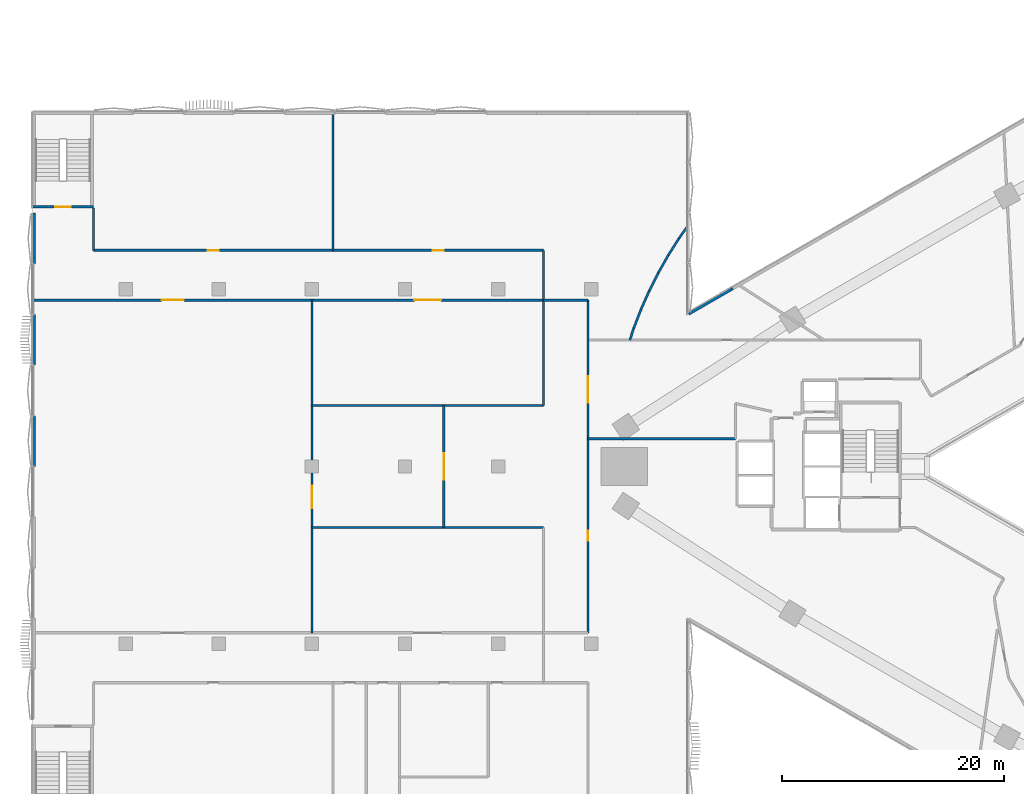
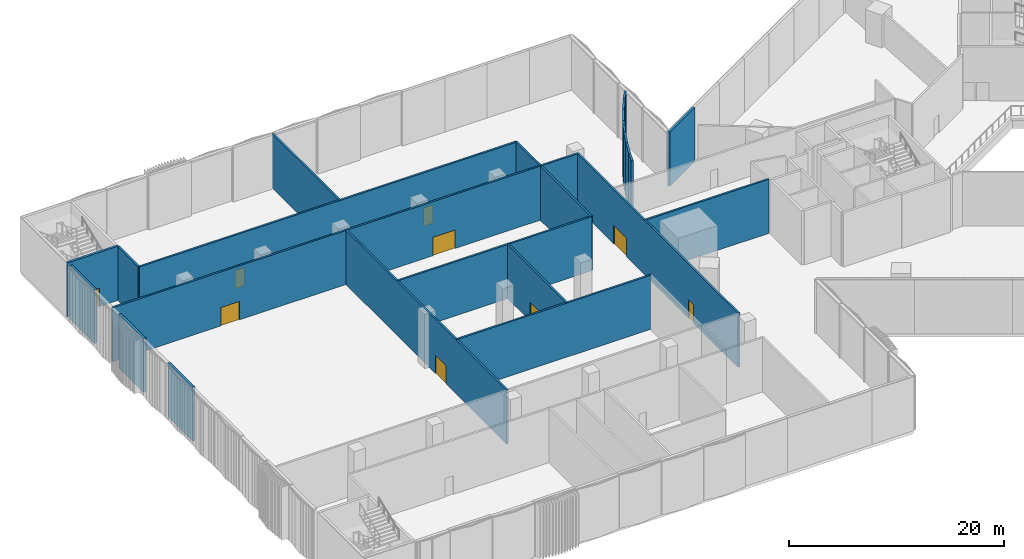
# One storey, part 13 of 32: 25 walls, 9 doors, 9 openings.
"""IFC4 building model written with IfcOpenShell, lengths in metres."""

import ifcopenshell
import ifcopenshell.guid

model = None  # the IFC model being written
_history = None  # IfcOwnerHistory: only IFC2X3 demands one
_inside = {}  # id of a spatial element -> (the spatial element, [elements in it])
_under = {}  # id of a project, library or spatial element -> (it, [spatial elements below it])
_declared = {}  # id of a project -> (the project, [libraries it declares])
_typed = {}  # id of a type object -> (the type object, [elements of that type])
_made_of = {}  # id of a material, layer set ... -> (it, [elements and type objects made of it])


def new_model(schema):
    """Start an empty IFC model of exactly this schema.

    Asked for "IFC4X3", IfcOpenShell would pick the latest addendum, in which some entities
    have other attributes; the version numbers below select the first issue.
    IFC2X3 requires an IfcOwnerHistory on every rooted entity: one is made here for all.
    """
    global model, _history
    if schema == "IFC4X3":
        model = ifcopenshell.file(schema_version=(4, 3, 0, 0))
    else:
        model = ifcopenshell.file(schema=schema)
    _inside.clear()
    _under.clear()
    _declared.clear()
    _typed.clear()
    _made_of.clear()
    _history = None
    if model.schema == "IFC2X3":
        org = make("IfcOrganization", Name="unknown")
        user = make(
            "IfcPersonAndOrganization",
            ThePerson=make("IfcPerson", FamilyName="unknown"),
            TheOrganization=org,
        )
        app = make(
            "IfcApplication",
            ApplicationDeveloper=org,
            Version="unknown",
            ApplicationFullName="unknown",
            ApplicationIdentifier="unknown",
        )
        _history = make(
            "IfcOwnerHistory",
            OwningUser=user,
            OwningApplication=app,
            ChangeAction="ADDED",
            CreationDate=0,
        )
    return model


def make(cls, **values):
    """One entity of the class cls with the attributes given. An attribute that is None is left unset."""
    return model.create_entity(
        cls, **{name: value for name, value in values.items() if value is not None}
    )


def rooted(cls, **values):
    """An entity with a GlobalId (a new one), such as an element, a storey or a relation."""
    return make(cls, GlobalId=ifcopenshell.guid.new(), OwnerHistory=_history, **values)


def si_unit(unit_type, name, prefix=None):
    """IfcSIUnit, for example si_unit("LENGTHUNIT", "METRE", prefix="MILLI")."""
    return make("IfcSIUnit", UnitType=unit_type, Prefix=prefix, Name=name)


def assignment(units):
    """IfcUnitAssignment: the units of a project."""
    return None if units is None else make("IfcUnitAssignment", Units=units)


def point(xyz):
    """IfcCartesianPoint."""
    return None if xyz is None else make("IfcCartesianPoint", Coordinates=xyz)


def direction(xyz):
    """IfcDirection."""
    return None if xyz is None else make("IfcDirection", DirectionRatios=xyz)


def frame(location, z_axis=None, x_axis=None):
    """IfcAxis2Placement3D, a coordinate frame: its origin and axes. An axis left out is left unset."""
    return make(
        "IfcAxis2Placement3D",
        Location=point(location),
        Axis=direction(z_axis),
        RefDirection=direction(x_axis),
    )


def frame_2d(location, x_axis=None):
    """IfcAxis2Placement2D, a coordinate frame in the plane: its origin and x axis."""
    return make(
        "IfcAxis2Placement2D", Location=point(location), RefDirection=direction(x_axis)
    )


def origin():
    """The frame at (0, 0, 0) with its axes left unset."""
    return frame((0.0, 0.0, 0.0))


def place(relative_to, where):
    """IfcLocalPlacement: puts the frame where relative to a parent placement (None: the world)."""
    return make(
        "IfcLocalPlacement", PlacementRelTo=relative_to, RelativePlacement=where
    )


def context(
    kind, dimensions, precision=None, world=None, true_north=None, identifier=None
):
    """IfcGeometricRepresentationContext, for example the 3D "Model" context."""
    return make(
        "IfcGeometricRepresentationContext",
        ContextIdentifier=identifier,
        ContextType=kind,
        CoordinateSpaceDimension=dimensions,
        Precision=precision,
        WorldCoordinateSystem=world,
        TrueNorth=true_north,
    )


def subcontext(parent, identifier, kind, view, scale=None):
    """IfcGeometricRepresentationSubContext, for example "Body" below "Model"."""
    return make(
        "IfcGeometricRepresentationSubContext",
        ContextIdentifier=identifier,
        ContextType=kind,
        ParentContext=parent,
        TargetScale=scale,
        TargetView=view,
    )


def project(units=None, contexts=None):
    """IfcProject with its units and contexts."""
    return rooted(
        "IfcProject",
        Name="project",
        RepresentationContexts=contexts,
        UnitsInContext=assignment(units),
    )


def spatial(cls, under=None, at=None, **own):
    """A site, building, storey or space (cls), placed at a placement, below another one or the project."""
    s = rooted(cls, ObjectPlacement=at, **own)
    if under is not None:
        _under.setdefault(under.id(), (under, []))[1].append(s)
    return s


def profile(cls, at=None, kind="AREA", **sizes):
    """A parametric profile (cls). Its sizes go by their IFC names, for example OverallWidth=200.0."""
    return make(cls, ProfileType=kind, Position=at, **sizes)


def rectangle(**sizes):
    """IfcRectangleProfileDef."""
    return profile("IfcRectangleProfileDef", **sizes)


def extrude(swept, where, along, depth):
    """IfcExtrudedAreaSolid: the profile swept, set in the frame where, extruded along a direction by depth."""
    return make(
        "IfcExtrudedAreaSolid",
        SweptArea=swept,
        Position=where,
        ExtrudedDirection=direction(along),
        Depth=depth,
    )


def shape(context_of_items, identifier, shape_type, items):
    """IfcShapeRepresentation: the items that make up one representation, for example the "Body"."""
    return make(
        "IfcShapeRepresentation",
        ContextOfItems=context_of_items,
        RepresentationIdentifier=identifier,
        RepresentationType=shape_type,
        Items=items,
    )


def material(Name=None, Category=None):
    """IfcMaterial."""
    return make("IfcMaterial", Name=Name, Category=Category)


def layer(
    of_material, thickness, ventilated=None, Name=None, Category=None, Priority=None
):
    """IfcMaterialLayer: one layer of a wall or slab, of a material (None: an air gap)."""
    return make(
        "IfcMaterialLayer",
        Material=of_material,
        LayerThickness=thickness,
        IsVentilated=ventilated,
        Name=Name,
        Category=Category,
        Priority=Priority,
    )


def layer_set(layers, Name=None):
    """IfcMaterialLayerSet."""
    return make("IfcMaterialLayerSet", MaterialLayers=layers, LayerSetName=Name)


def made_of(thing, what):
    """Note that an element or type object is made of a material, layer set ...; save() writes the relation."""
    if what is not None:
        _made_of.setdefault(what.id(), (what, []))[1].append(thing)
    return thing


def type_object(cls, material=None, **own):
    """A type object (cls), such as IfcWallType, which elements share."""
    return made_of(rooted(cls, **own), material)


def element(
    cls,
    number,
    at=None,
    inside=None,
    cuts=None,
    type_object=None,
    material=None,
    context=None,
    identifier="Body",
    shape_type=None,
    held_by="IfcProductDefinitionShape",
    body=None,
    shapes=None,
    **own,
):
    """One element of the class cls, such as IfcWall. Its Tag is "e" and its number.

    at: its placement. inside: the storey or other place that contains it. cuts: it is an
    opening in that element (IfcRelVoidsElement). A single representation is given by context,
    identifier, shape_type and body (its items); several are given by shapes. held_by: the class
    of the entity that holds the representations. save() writes the other relations.
    """
    e = rooted(cls, Tag="e%d" % number, ObjectPlacement=at, **own)
    if body is not None:
        shapes = [shape(context, identifier, shape_type, body)]
    if shapes is not None:
        e.Representation = make(held_by, Representations=shapes)
    if inside is not None:
        _inside.setdefault(inside.id(), (inside, []))[1].append(e)
    if cuts is not None:
        rooted(
            "IfcRelVoidsElement", RelatingBuildingElement=cuts, RelatedOpeningElement=e
        )
    if type_object is not None:
        _typed.setdefault(type_object.id(), (type_object, []))[1].append(e)
    return made_of(e, material)


def fill(opening, filler):
    """IfcRelFillsElement: the door or window that sits in an opening."""
    return rooted(
        "IfcRelFillsElement",
        RelatingOpeningElement=opening,
        RelatedBuildingElement=filler,
    )


def aggregate(whole, parts):
    """IfcRelAggregates: a whole, such as a stair, and the parts it consists of."""
    return rooted("IfcRelAggregates", RelatingObject=whole, RelatedObjects=parts)


def save(model, path):
    """Write the relations noted so far, then the file.

    IfcRelAggregates (storeys below a building ...), IfcRelContainedInSpatialStructure (elements
    in a storey), IfcRelDefinesByType, IfcRelAssociatesMaterial and IfcRelDeclares: one each for
    every whole, place, type object, material and project.
    """
    for whole, parts in _under.values():
        aggregate(whole, parts)
    for where, things in _inside.values():
        rooted(
            "IfcRelContainedInSpatialStructure",
            RelatedElements=things,
            RelatingStructure=where,
        )
    for kind, things in _typed.values():
        rooted("IfcRelDefinesByType", RelatedObjects=things, RelatingType=kind)
    for what, things in _made_of.values():
        rooted("IfcRelAssociatesMaterial", RelatedObjects=things, RelatingMaterial=what)
    for by, libraries in _declared.values():
        rooted("IfcRelDeclares", RelatingContext=by, RelatedDefinitions=libraries)
    model.write(path)


model = new_model("IFC4")

# Units and contexts
model_context = context("Model", 3, precision=1e-05, world=origin(), true_north=direction((0.0, 1.0)))
body_context = subcontext(model_context, "Body", "Model", "MODEL_VIEW")
ifc_project = project(units=[si_unit("LENGTHUNIT", "METRE"), si_unit("AREAUNIT", "SQUARE_METRE"), si_unit("VOLUMEUNIT", "CUBIC_METRE"), si_unit("PLANEANGLEUNIT", "RADIAN"), si_unit("MASSUNIT", "GRAM", prefix="KILO")], contexts=[model_context])

# Site, building, storey
site_placement = place(None, origin())
site = spatial("IfcSite", under=ifc_project, at=site_placement, CompositionType="ELEMENT")
building_placement = place(site_placement, origin())
building = spatial("IfcBuilding", under=site, at=building_placement, Name="Tamra Quay Hotel Tower", CompositionType="ELEMENT")
storey_placement = place(building_placement, frame((0.0, 0.0, 7.5)))
storey = spatial("IfcBuildingStorey", under=building, at=storey_placement, Name="L01", CompositionType="ELEMENT", Elevation=7.5)

# Wall, opening, door
ifc_material_1 = material(Name="Concrete M70", Category="concrete")
ifc_layer_1 = layer(ifc_material_1, 0.199951171875)
ifc_layer_set_1 = layer_set([ifc_layer_1], Name="Concrete M70 core wall 200")
wall_type_1 = type_object("IfcWallType", Name="Concrete M70 core wall 200", PredefinedType="SHEAR", material=ifc_layer_set_1)
wall_1_placement = place(storey_placement, frame((-89.10009765625, 23.425048828125, 0.0), z_axis=(0.0, 0.0, 1.0), x_axis=(1.0, 0.0, 0.0)))
wall_1 = element("IfcWall", 1, at=wall_1_placement, inside=storey, type_object=wall_type_1, Name="CW2", PredefinedType="SHEAR", context=body_context, shape_type="SweptSolid", body=[
    extrude(rectangle(XDim=5.5, YDim=0.25, at=frame_2d((2.75, 0.0))), origin(), (0.0, 0.0, 1.0), 6.14990234375),
])
opening_1_placement = place(wall_1_placement, frame((2.050048828125, 0.0, 0.0)))
opening_1 = element("IfcOpeningElement", 2, at=opening_1_placement, cuts=wall_1, Name="Opening FD2", PredefinedType="OPENING", context=body_context, shape_type="SweptSolid", body=[
    extrude(rectangle(XDim=1.39990234375, YDim=2.10009765625, at=frame_2d((0.699951171875, 1.050048828125))), frame((0.0, 0.135009765625, 0.0), z_axis=(0.0, -1.0, 0.0), x_axis=(1.0, 0.0, 0.0)), (0.0, 0.0, 1.0), 0.27001953125),
])
ifc_material_2 = material(Name="Core door FD2 1400x2100 RH")
door_type_1 = type_object("IfcDoorType", Name="Core door FD2 1400x2100 RH", OperationType="NOTDEFINED", PredefinedType="DOOR", material=ifc_material_2)
door_1_placement = place(opening_1_placement, origin())
door_1 = element("IfcDoor", 3, at=door_1_placement, inside=storey, type_object=door_type_1, Name="FD2", OperationType="SINGLE_SWING_RIGHT", OverallHeight=2.10009765625, OverallWidth=1.39990234375, PredefinedType="DOOR", context=body_context, shape_type="SweptSolid", body=[
    extrude(rectangle(XDim=1.39990234375, YDim=2.10009765625, at=frame_2d((0.699951171875, 1.050048828125))), frame((0.0, 0.02490234375, 0.0), z_axis=(0.0, -1.0, 0.0), x_axis=(1.0, 0.0, 0.0)), (0.0, 0.0, 1.0), 0.050048828125),
])
fill(opening_1, door_1)

# Walls
ifc_material_3 = material(Name="Blockwork masonry plastered", Category="masonry")
ifc_layer_2 = layer(ifc_material_3, 0.25)
ifc_layer_set_2 = layer_set([ifc_layer_2], Name="EXTERNAL WALL 250")
wall_type_2 = type_object("IfcWallType", Name="EXTERNAL WALL 250", PredefinedType="SOLIDWALL", material=ifc_layer_set_2)
wall_2_placement = place(storey_placement, frame((-29.9375, 13.748046875, 0.0), z_axis=(0.0, 0.0, 1.0), x_axis=(0.866193503994, 0.4997087288, 0.0)))
element("IfcWall", 4, at=wall_2_placement, inside=storey, type_object=wall_type_2, Name="EW1", PredefinedType="SOLIDWALL", context=body_context, shape_type="SweptSolid", body=[
    extrude(rectangle(XDim=4.619873046875, YDim=0.25, at=frame_2d((2.31005859375, 0.0))), origin(), (0.0, 0.0, 1.0), 6.14990234375),
])
for number, where, z_axis, x_axis, name in (
    (5, (-88.97509765625, 18.28564453125, 0.0), (0.0, 0.0, 1.0), (0.0, 1.0, 0.0), "EW1"),
    (6, (-88.97509765625, 9.142822265625, 0.0), (0.0, 0.0, 1.0), (0.0, 1.0, 0.0), "EW1"),
    (7, (-88.97509765625, 0.0, 0.0), (0.0, 0.0, 1.0), (0.0, 1.0, 0.0), "EW1"),
):
    element("IfcWall", number, at=place(storey_placement, frame(where, z_axis=z_axis, x_axis=x_axis)), inside=storey, type_object=wall_type_2, Name=name, PredefinedType="SOLIDWALL", context=body_context, shape_type="SweptSolid", body=[
        extrude(rectangle(XDim=4.571533203125, YDim=0.25, at=frame_2d((2.28564453125, 0.0))), origin(), (0.0, 0.0, 1.0), 6.14990234375),
    ])

# Wall, openings, doors
ifc_material_4 = material(Name="Partition corridor wall")
ifc_layer_3 = layer(ifc_material_4, 0.199951171875)
ifc_layer_set_3 = layer_set([ifc_layer_3], Name="Partition corridor wall")
wall_type_3 = type_object("IfcWallType", Name="Partition corridor wall", PredefinedType="PARTITIONING", material=ifc_layer_set_3)
wall_3_placement = place(storey_placement, frame((-89.094970703125, 15.0, 0.0), z_axis=(0.0, 0.0, 1.0), x_axis=(1.0, 0.0, 0.0)))
wall_3 = element("IfcWall", 8, at=wall_3_placement, inside=storey, type_object=wall_type_3, Name="W-C", PredefinedType="PARTITIONING", context=body_context, shape_type="SweptSolid", body=[
    extrude(rectangle(XDim=46.094970703125, YDim=0.199951171875, at=frame_2d((23.04736328125, 0.0))), origin(), (0.0, 0.0, 1.0), 6.14990234375),
])
opening_2_placement = place(wall_3_placement, frame((11.6494140625, 0.0, 0.0)))
opening_2 = element("IfcOpeningElement", 9, at=opening_2_placement, cuts=wall_3, Name="Opening L01-D002", PredefinedType="OPENING", context=body_context, shape_type="SweptSolid", body=[
    extrude(rectangle(XDim=2.0, YDim=2.10009765625, at=frame_2d((1.0, 1.050048828125))), frame((0.0, 0.10986328125, 0.0), z_axis=(0.0, -1.0, 0.0), x_axis=(1.0, 0.0, 0.0)), (0.0, 0.0, 1.0), 0.219970703125),
])
opening_3_placement = place(wall_3_placement, frame((34.445068359375, 0.0, 0.0)))
opening_3 = element("IfcOpeningElement", 10, at=opening_3_placement, cuts=wall_3, Name="Opening L01-D005", PredefinedType="OPENING", context=body_context, shape_type="SweptSolid", body=[
    extrude(rectangle(XDim=2.39990234375, YDim=2.10009765625, at=frame_2d((1.199951171875, 1.050048828125))), frame((0.0, 0.10986328125, 0.0), z_axis=(0.0, -1.0, 0.0), x_axis=(1.0, 0.0, 0.0)), (0.0, 0.0, 1.0), 0.219970703125),
])
ifc_material_5 = material(Name="Door double leaf 2000x2100")
door_type_2 = type_object("IfcDoorType", Name="Door double leaf 2000x2100", OperationType="DOUBLE_DOOR_SINGLE_SWING", PredefinedType="DOOR", material=ifc_material_5)
door_2_placement = place(opening_2_placement, frame((2.0, 0.0, 0.0), z_axis=(0.0, 0.0, 1.0), x_axis=(-1.0, 0.0, 0.0)))
door_2 = element("IfcDoor", 11, at=door_2_placement, inside=storey, type_object=door_type_2, Name="L01-D002", OperationType="DOUBLE_DOOR_SINGLE_SWING", OverallHeight=2.10009765625, OverallWidth=2.0, PredefinedType="DOOR", context=body_context, shape_type="SweptSolid", body=[
    extrude(rectangle(XDim=2.0, YDim=2.10009765625, at=frame_2d((1.0, 1.050048828125))), frame((0.0, 0.02490234375, 0.0), z_axis=(0.0, -1.0, 0.0), x_axis=(1.0, 0.0, 0.0)), (0.0, 0.0, 1.0), 0.050048828125),
])
fill(opening_2, door_2)
ifc_material_6 = material(Name="Door double leaf 2400x2100")
door_type_3 = type_object("IfcDoorType", Name="Door double leaf 2400x2100", OperationType="DOUBLE_DOOR_SINGLE_SWING", PredefinedType="DOOR", material=ifc_material_6)
door_3_placement = place(opening_3_placement, frame((2.39990234375, 0.0, 0.0), z_axis=(0.0, 0.0, 1.0), x_axis=(-1.0, 0.0, 0.0)))
door_3 = element("IfcDoor", 12, at=door_3_placement, inside=storey, type_object=door_type_3, Name="L01-D005", OperationType="DOUBLE_DOOR_SINGLE_SWING", OverallHeight=2.10009765625, OverallWidth=2.39990234375, PredefinedType="DOOR", context=body_context, shape_type="SweptSolid", body=[
    extrude(rectangle(XDim=2.39990234375, YDim=2.10009765625, at=frame_2d((1.199951171875, 1.050048828125))), frame((0.0, 0.02490234375, 0.0), z_axis=(0.0, -1.0, 0.0), x_axis=(1.0, 0.0, 0.0)), (0.0, 0.0, 1.0), 0.050048828125),
])
fill(opening_3, door_3)

# Wall
wall_4_placement = place(storey_placement, frame((-83.60009765625, 19.5, 0.0), z_axis=(0.0, 0.0, 1.0), x_axis=(0.0, 1.0, 0.0)))
element("IfcWall", 13, at=wall_4_placement, inside=storey, type_object=wall_type_3, Name="W-C", PredefinedType="PARTITIONING", context=body_context, shape_type="SweptSolid", body=[
    extrude(rectangle(XDim=3.800048828125, YDim=0.199951171875, at=frame_2d((1.89990234375, 0.0))), origin(), (0.0, 0.0, 1.0), 6.14990234375),
])

# Wall, openings, doors
wall_5_placement = place(storey_placement, frame((-83.60009765625, 19.5, 0.0), z_axis=(0.0, 0.0, 1.0), x_axis=(1.0, 0.0, 0.0)))
wall_5 = element("IfcWall", 14, at=wall_5_placement, inside=storey, type_object=wall_type_3, Name="W-C", PredefinedType="PARTITIONING", context=body_context, shape_type="SweptSolid", body=[
    extrude(rectangle(XDim=40.60009765625, YDim=0.199951171875, at=frame_2d((20.300048828125, 0.0))), origin(), (0.0, 0.0, 1.0), 6.14990234375),
])
opening_4_placement = place(wall_5_placement, frame((10.305908203125, 0.0, 0.0)))
opening_4 = element("IfcOpeningElement", 15, at=opening_4_placement, cuts=wall_5, Name="Opening L01-D007", PredefinedType="OPENING", context=body_context, shape_type="SweptSolid", body=[
    extrude(rectangle(XDim=1.0, YDim=2.10009765625, at=frame_2d((0.5, 1.050048828125))), frame((0.0, 0.10986328125, 0.0), z_axis=(0.0, -1.0, 0.0), x_axis=(1.0, 0.0, 0.0)), (0.0, 0.0, 1.0), 0.219970703125),
])
opening_5_placement = place(wall_5_placement, frame((30.594970703125, 0.0, 0.0)))
opening_5 = element("IfcOpeningElement", 16, at=opening_5_placement, cuts=wall_5, Name="Opening L01-D008", PredefinedType="OPENING", context=body_context, shape_type="SweptSolid", body=[
    extrude(rectangle(XDim=1.0, YDim=2.10009765625, at=frame_2d((0.5, 1.050048828125))), frame((0.0, 0.10986328125, 0.0), z_axis=(0.0, -1.0, 0.0), x_axis=(1.0, 0.0, 0.0)), (0.0, 0.0, 1.0), 0.219970703125),
])
ifc_material_7 = material(Name="Door guest room 1000x2100")
door_type_4 = type_object("IfcDoorType", Name="Door guest room 1000x2100", OperationType="NOTDEFINED", PredefinedType="DOOR", material=ifc_material_7)
door_4_placement = place(opening_4_placement, origin())
door_4 = element("IfcDoor", 17, at=door_4_placement, inside=storey, type_object=door_type_4, Name="L01-D007", OperationType="SINGLE_SWING_LEFT", OverallHeight=2.10009765625, OverallWidth=1.0, PredefinedType="DOOR", context=body_context, shape_type="SweptSolid", body=[
    extrude(rectangle(XDim=1.0, YDim=2.10009765625, at=frame_2d((0.5, 1.050048828125))), frame((0.0, 0.02490234375, 0.0), z_axis=(0.0, -1.0, 0.0), x_axis=(1.0, 0.0, 0.0)), (0.0, 0.0, 1.0), 0.050048828125),
])
fill(opening_4, door_4)
door_5_placement = place(opening_5_placement, origin())
door_5 = element("IfcDoor", 18, at=door_5_placement, inside=storey, type_object=door_type_4, Name="L01-D008", OperationType="SINGLE_SWING_LEFT", OverallHeight=2.10009765625, OverallWidth=1.0, PredefinedType="DOOR", context=body_context, shape_type="SweptSolid", body=[
    extrude(rectangle(XDim=1.0, YDim=2.10009765625, at=frame_2d((0.5, 1.050048828125))), frame((0.0, 0.02490234375, 0.0), z_axis=(0.0, -1.0, 0.0), x_axis=(1.0, 0.0, 0.0)), (0.0, 0.0, 1.0), 0.050048828125),
])
fill(opening_5, door_5)

# Wall
wall_6_placement = place(storey_placement, frame((-43.0, 15.001953125, 0.0), z_axis=(0.0, 0.0, 1.0), x_axis=(0.0, 1.0, 0.0)))
element("IfcWall", 19, at=wall_6_placement, inside=storey, type_object=wall_type_3, Name="W-C", PredefinedType="PARTITIONING", context=body_context, shape_type="SweptSolid", body=[
    extrude(rectangle(XDim=4.498046875, YDim=0.199951171875, at=frame_2d((2.2490234375, 0.0))), origin(), (0.0, 0.0, 1.0), 6.14990234375),
])

# Wall, opening, door
ifc_material_8 = material(Name="Partition party wall")
ifc_layer_4 = layer(ifc_material_8, 0.199951171875)
ifc_layer_set_4 = layer_set([ifc_layer_4], Name="Partition party wall")
wall_type_4 = type_object("IfcWallType", Name="Partition party wall", PredefinedType="PARTITIONING", material=ifc_layer_set_4)
wall_7_placement = place(storey_placement, frame((-63.89990234375, -15.0, 0.0), z_axis=(0.0, 0.0, 1.0), x_axis=(0.0, 1.0, 0.0)))
wall_7 = element("IfcWall", 20, at=wall_7_placement, inside=storey, type_object=wall_type_4, Name="W-P", PredefinedType="PARTITIONING", context=body_context, shape_type="SweptSolid", body=[
    extrude(rectangle(XDim=30.0, YDim=0.199951171875, at=frame_2d((15.0, 0.0))), origin(), (0.0, 0.0, 1.0), 6.14990234375),
])
opening_6_placement = place(wall_7_placement, frame((11.25, 0.0, 0.0)))
opening_6 = element("IfcOpeningElement", 21, at=opening_6_placement, cuts=wall_7, Name="Opening L01-D001", PredefinedType="OPENING", context=body_context, shape_type="SweptSolid", body=[
    extrude(rectangle(XDim=2.0, YDim=2.10009765625, at=frame_2d((1.0, 1.050048828125))), frame((0.0, 0.10986328125, 0.0), z_axis=(0.0, -1.0, 0.0), x_axis=(1.0, 0.0, 0.0)), (0.0, 0.0, 1.0), 0.219970703125),
])
door_6_placement = place(opening_6_placement, origin())
door_6 = element("IfcDoor", 22, at=door_6_placement, inside=storey, type_object=door_type_2, Name="L01-D001", OperationType="DOUBLE_DOOR_SINGLE_SWING", OverallHeight=2.10009765625, OverallWidth=2.0, PredefinedType="DOOR", context=body_context, shape_type="SweptSolid", body=[
    extrude(rectangle(XDim=2.0, YDim=2.10009765625, at=frame_2d((1.0, 1.050048828125))), frame((0.0, 0.02490234375, 0.0), z_axis=(0.0, -1.0, 0.0), x_axis=(1.0, 0.0, 0.0)), (0.0, 0.0, 1.0), 0.050048828125),
])
fill(opening_6, door_6)

# Walls
for number, where, z_axis, x_axis, name in (
    (23, (-63.89990234375, -5.5, 0.0), (0.0, 0.0, 1.0), (1.0, 0.0, 0.0), "W-P"),
    (24, (-63.89990234375, 5.5, 0.0), (0.0, 0.0, 1.0), (1.0, 0.0, 0.0), "W-P"),
):
    element("IfcWall", number, at=place(storey_placement, frame(where, z_axis=z_axis, x_axis=x_axis)), inside=storey, type_object=wall_type_4, Name=name, PredefinedType="PARTITIONING", context=body_context, shape_type="SweptSolid", body=[
        extrude(rectangle(XDim=20.89990234375, YDim=0.199951171875, at=frame_2d((10.449951171875, 0.0))), origin(), (0.0, 0.0, 1.0), 6.14990234375),
    ])
wall_8_placement = place(storey_placement, frame((-62.0, 19.501953125, 0.0), z_axis=(0.0, 0.0, 1.0), x_axis=(0.0, 1.0, 0.0)))
element("IfcWall", 25, at=wall_8_placement, inside=storey, type_object=wall_type_4, Name="W-P", PredefinedType="PARTITIONING", context=body_context, shape_type="SweptSolid", body=[
    extrude(rectangle(XDim=12.4931640625, YDim=0.199951171875, at=frame_2d((6.24658203125, 0.0))), origin(), (0.0, 0.0, 1.0), 6.14990234375),
])

# Wall, opening, door
wall_9_placement = place(storey_placement, frame((-52.0, -5.5, 0.0), z_axis=(0.0, 0.0, 1.0), x_axis=(0.0, 1.0, 0.0)))
wall_9 = element("IfcWall", 26, at=wall_9_placement, inside=storey, type_object=wall_type_4, Name="W-P", PredefinedType="PARTITIONING", context=body_context, shape_type="SweptSolid", body=[
    extrude(rectangle(XDim=11.0, YDim=0.199951171875, at=frame_2d((5.5, 0.0))), origin(), (0.0, 0.0, 1.0), 6.14990234375),
])
opening_7_placement = place(wall_9_placement, frame((4.300048828125, 0.0, 0.0)))
opening_7 = element("IfcOpeningElement", 27, at=opening_7_placement, cuts=wall_9, Name="Opening L01-D004", PredefinedType="OPENING", context=body_context, shape_type="SweptSolid", body=[
    extrude(rectangle(XDim=2.39990234375, YDim=2.10009765625, at=frame_2d((1.199951171875, 1.050048828125))), frame((0.0, 0.10986328125, 0.0), z_axis=(0.0, -1.0, 0.0), x_axis=(1.0, 0.0, 0.0)), (0.0, 0.0, 1.0), 0.219970703125),
])
door_7_placement = place(opening_7_placement, origin())
door_7 = element("IfcDoor", 28, at=door_7_placement, inside=storey, type_object=door_type_3, Name="L01-D004", OperationType="DOUBLE_DOOR_SINGLE_SWING", OverallHeight=2.10009765625, OverallWidth=2.39990234375, PredefinedType="DOOR", context=body_context, shape_type="SweptSolid", body=[
    extrude(rectangle(XDim=2.39990234375, YDim=2.10009765625, at=frame_2d((1.199951171875, 1.050048828125))), frame((0.0, 0.02490234375, 0.0), z_axis=(0.0, -1.0, 0.0), x_axis=(1.0, 0.0, 0.0)), (0.0, 0.0, 1.0), 0.050048828125),
])
fill(opening_7, door_7)

# Walls
wall_10_placement = place(storey_placement, frame((-43.0, 5.5, 0.0), z_axis=(0.0, 0.0, 1.0), x_axis=(0.0, 1.0, 0.0)))
element("IfcWall", 29, at=wall_10_placement, inside=storey, type_object=wall_type_4, Name="W-P", PredefinedType="PARTITIONING", context=body_context, shape_type="SweptSolid", body=[
    extrude(rectangle(XDim=9.5, YDim=0.199951171875, at=frame_2d((4.75, 0.0))), origin(), (0.0, 0.0, 1.0), 6.14990234375),
])
wall_11_placement = place(storey_placement, frame((-42.998046875, 15.0, 0.0), z_axis=(0.0, 0.0, 1.0), x_axis=(1.0, 0.0, 0.0)))
element("IfcWall", 30, at=wall_11_placement, inside=storey, type_object=wall_type_4, Name="W-P", PredefinedType="PARTITIONING", context=body_context, shape_type="SweptSolid", body=[
    extrude(rectangle(XDim=3.998046875, YDim=0.199951171875, at=frame_2d((1.9990234375, 0.0))), origin(), (0.0, 0.0, 1.0), 6.14990234375),
])

# Wall, openings, doors
wall_12_placement = place(storey_placement, frame((-39.0, -15.0, 0.0), z_axis=(0.0, 0.0, 1.0), x_axis=(0.0, 1.0, 0.0)))
wall_12 = element("IfcWall", 31, at=wall_12_placement, inside=storey, type_object=wall_type_4, Name="W-P", PredefinedType="PARTITIONING", context=body_context, shape_type="SweptSolid", body=[
    extrude(rectangle(XDim=30.0, YDim=0.199951171875, at=frame_2d((15.0, 0.0))), origin(), (0.0, 0.0, 1.0), 6.14990234375),
])
opening_8_placement = place(wall_12_placement, frame((20.75, 0.0, 0.0)))
opening_8 = element("IfcOpeningElement", 32, at=opening_8_placement, cuts=wall_12, Name="Opening L01-D013", PredefinedType="OPENING", context=body_context, shape_type="SweptSolid", body=[
    extrude(rectangle(XDim=2.39990234375, YDim=2.10009765625, at=frame_2d((1.199951171875, 1.050048828125))), frame((0.0, 0.10986328125, 0.0), z_axis=(0.0, -1.0, 0.0), x_axis=(1.0, 0.0, 0.0)), (0.0, 0.0, 1.0), 0.219970703125),
])
opening_9_placement = place(wall_12_placement, frame((8.304931640625, 0.0, 0.0)))
opening_9 = element("IfcOpeningElement", 33, at=opening_9_placement, cuts=wall_12, Name="Opening L01-D019", PredefinedType="OPENING", context=body_context, shape_type="SweptSolid", body=[
    extrude(rectangle(XDim=0.89990234375, YDim=2.10009765625, at=frame_2d((0.449951171875, 1.050048828125))), frame((0.0, 0.10986328125, 0.0), z_axis=(0.0, -1.0, 0.0), x_axis=(1.0, 0.0, 0.0)), (0.0, 0.0, 1.0), 0.219970703125),
])
door_8_placement = place(opening_8_placement, frame((2.39990234375, 0.0, 0.0), z_axis=(0.0, 0.0, 1.0), x_axis=(-1.0, 0.0, 0.0)))
door_8 = element("IfcDoor", 34, at=door_8_placement, inside=storey, type_object=door_type_3, Name="L01-D013", OperationType="DOUBLE_DOOR_SINGLE_SWING", OverallHeight=2.10009765625, OverallWidth=2.39990234375, PredefinedType="DOOR", context=body_context, shape_type="SweptSolid", body=[
    extrude(rectangle(XDim=2.39990234375, YDim=2.10009765625, at=frame_2d((1.199951171875, 1.050048828125))), frame((0.0, 0.02490234375, 0.0), z_axis=(0.0, -1.0, 0.0), x_axis=(1.0, 0.0, 0.0)), (0.0, 0.0, 1.0), 0.050048828125),
])
fill(opening_8, door_8)
ifc_material_9 = material(Name="Door service room 900x2100")
door_type_5 = type_object("IfcDoorType", Name="Door service room 900x2100", OperationType="NOTDEFINED", PredefinedType="DOOR", material=ifc_material_9)
door_9_placement = place(opening_9_placement, frame((0.89990234375, 0.0, 0.0), z_axis=(0.0, 0.0, 1.0), x_axis=(-1.0, 0.0, 0.0)))
door_9 = element("IfcDoor", 35, at=door_9_placement, inside=storey, type_object=door_type_5, Name="L01-D019", OperationType="SINGLE_SWING_LEFT", OverallHeight=2.10009765625, OverallWidth=0.89990234375, PredefinedType="DOOR", context=body_context, shape_type="SweptSolid", body=[
    extrude(rectangle(XDim=0.89990234375, YDim=2.10009765625, at=frame_2d((0.449951171875, 1.050048828125))), frame((0.0, 0.02490234375, 0.0), z_axis=(0.0, -1.0, 0.0), x_axis=(1.0, 0.0, 0.0)), (0.0, 0.0, 1.0), 0.050048828125),
])
fill(opening_9, door_9)

# Walls
wall_13_placement = place(storey_placement, frame((-38.998046875, 2.5, 0.0), z_axis=(0.0, 0.0, 1.0), x_axis=(1.0, 0.0, 0.0)))
element("IfcWall", 36, at=wall_13_placement, inside=storey, type_object=wall_type_4, Name="W-P", PredefinedType="PARTITIONING", context=body_context, shape_type="SweptSolid", body=[
    extrude(rectangle(XDim=13.298095703125, YDim=0.199951171875, at=frame_2d((6.64892578125, 0.0))), origin(), (0.0, 0.0, 1.0), 6.14990234375),
])
wall_14_placement = place(storey_placement, frame((-35.220947265625, 11.404052734375, 0.0), z_axis=(0.0, 0.0, 1.0), x_axis=(0.313566613152, 0.949566205757, 0.0)))
element("IfcWall", 37, at=wall_14_placement, inside=storey, type_object=wall_type_4, Name="W-P", PredefinedType="PARTITIONING", context=body_context, shape_type="SweptSolid", body=[
    extrude(rectangle(XDim=1.12890625, YDim=0.199951171875, at=frame_2d((0.564453125, 0.0))), origin(), (0.0, 0.0, 1.0), 6.14990234375),
])
for number, where, z_axis, x_axis, name in (
    (38, (-34.866943359375, 12.47607421875, 0.0), (0.0, 0.0, 1.0), (0.359806930281, 0.933026780388, 0.0), "W-P"),
    (39, (-34.212890625, 14.172119140625, 0.0), (0.0, 0.0, 1.0), (0.405315890205, 0.914176694708, 0.0), "W-P"),
):
    element("IfcWall", number, at=place(storey_placement, frame(where, z_axis=z_axis, x_axis=x_axis)), inside=storey, type_object=wall_type_4, Name=name, PredefinedType="PARTITIONING", context=body_context, shape_type="SweptSolid", body=[
        extrude(rectangle(XDim=1.81787109375, YDim=0.199951171875, at=frame_2d((0.908935546875, 0.0))), origin(), (0.0, 0.0, 1.0), 6.14990234375),
    ])
wall_15_placement = place(storey_placement, frame((-33.47607421875, 15.833984375, 0.0), z_axis=(0.0, 0.0, 1.0), x_axis=(0.449684007343, 0.893187714615, 0.0)))
element("IfcWall", 40, at=wall_15_placement, inside=storey, type_object=wall_type_4, Name="W-P", PredefinedType="PARTITIONING", context=body_context, shape_type="SweptSolid", body=[
    extrude(rectangle(XDim=1.817138671875, YDim=0.199951171875, at=frame_2d((0.90869140625, 0.0))), origin(), (0.0, 0.0, 1.0), 6.14990234375),
])
wall_16_placement = place(storey_placement, frame((-32.658935546875, 17.45703125, 0.0), z_axis=(0.0, 0.0, 1.0), x_axis=(0.493270284448, 0.86987609835, 0.0)))
element("IfcWall", 41, at=wall_16_placement, inside=storey, type_object=wall_type_4, Name="W-P", PredefinedType="PARTITIONING", context=body_context, shape_type="SweptSolid", body=[
    extrude(rectangle(XDim=1.81640625, YDim=0.199951171875, at=frame_2d((0.908203125, 0.0))), origin(), (0.0, 0.0, 1.0), 6.14990234375),
])
wall_17_placement = place(storey_placement, frame((-31.762939453125, 19.037109375, 0.0), z_axis=(0.0, 0.0, 1.0), x_axis=(0.534735678729, 0.84501938078, 0.0)))
element("IfcWall", 42, at=wall_17_placement, inside=storey, type_object=wall_type_4, Name="W-P", PredefinedType="PARTITIONING", context=body_context, shape_type="SweptSolid", body=[
    extrude(rectangle(XDim=1.817626953125, YDim=0.199951171875, at=frame_2d((0.90869140625, 0.0))), origin(), (0.0, 0.0, 1.0), 6.14990234375),
])
wall_18_placement = place(storey_placement, frame((-30.791015625, 20.572998046875, 0.0), z_axis=(0.0, 0.0, 1.0), x_axis=(0.575897739976, 0.817521738605, 0.0)))
element("IfcWall", 43, at=wall_18_placement, inside=storey, type_object=wall_type_4, Name="W-P", PredefinedType="PARTITIONING", context=body_context, shape_type="SweptSolid", body=[
    extrude(rectangle(XDim=1.1962890625, YDim=0.199951171875, at=frame_2d((0.59814453125, 0.0))), origin(), (0.0, 0.0, 1.0), 6.14990234375),
])

save(model, "model.ifc")
